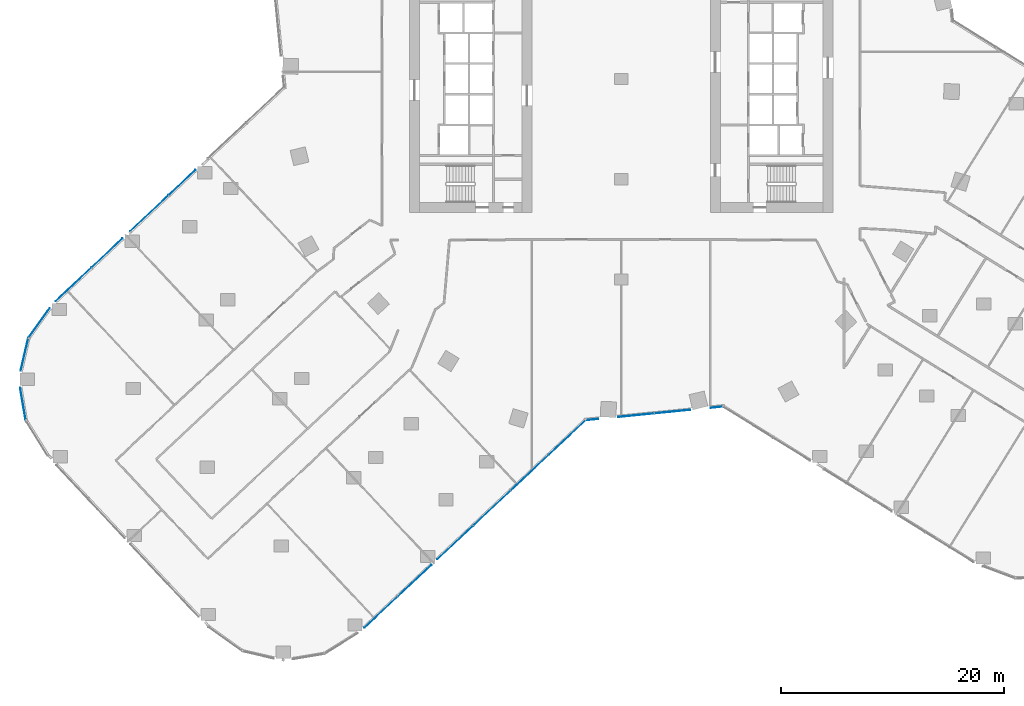
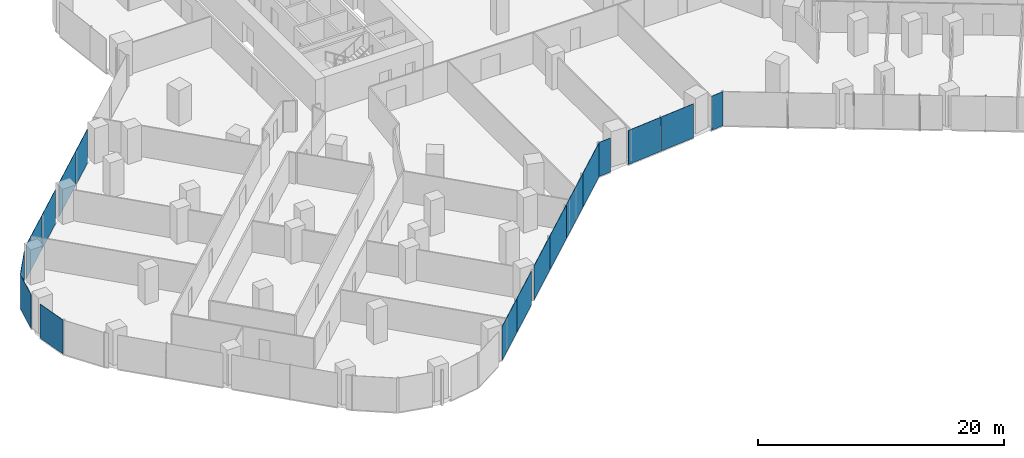
# One storey, part 18 of 34: 17 plates, 6 elements without a shape of their own.
"""IFC4 building model written with IfcOpenShell, lengths in metres."""

from ifc_helpers import new_model, si_unit, direction, frame, origin, origin_2d, place, context, subcontext, project, spatial, rectangle, extrude, material, layer, layer_set, type_object, element, aggregate, save


model = new_model("IFC4")

# Units and contexts
model_context = context("Model", 3, precision=1e-05, world=origin(), true_north=direction((0.0, 1.0)))
body_context = subcontext(model_context, "Body", "Model", "MODEL_VIEW")
ifc_project = project(units=[si_unit("LENGTHUNIT", "METRE"), si_unit("AREAUNIT", "SQUARE_METRE"), si_unit("VOLUMEUNIT", "CUBIC_METRE"), si_unit("PLANEANGLEUNIT", "RADIAN"), si_unit("MASSUNIT", "GRAM", prefix="KILO")], contexts=[model_context])

# Site, building, storey
site_placement = place(None, origin())
site = spatial("IfcSite", under=ifc_project, at=site_placement, CompositionType="ELEMENT")
building_placement = place(site_placement, origin())
building = spatial("IfcBuilding", under=site, at=building_placement, Name="Orlundy Tower", CompositionType="ELEMENT")
storey_placement = place(building_placement, frame((0.0, 0.0, 44.300048828125)))
storey = spatial("IfcBuildingStorey", under=building, at=storey_placement, Name="L09", CompositionType="ELEMENT", Elevation=44.300048828125)

# Curtain wall, plates
ifc_material_1 = material(Name="Aluminium bronze anodised", Category="aluminium")
curtain_wall_type = type_object("IfcCurtainWallType", Name="CW1 wall", PredefinedType="NOTDEFINED", material=ifc_material_1)
curtain_wall_1_placement = place(storey_placement, origin())
curtain_wall_1 = element("IfcCurtainWall", 1, at=curtain_wall_1_placement, inside=storey, type_object=curtain_wall_type, Name="CW1 run 00", PredefinedType="NOTDEFINED")
ifc_material_2 = material(Name="Tinted glass", Category="glass")
ifc_layer = layer(ifc_material_2, 0.031982421875)
ifc_layer_set = layer_set([ifc_layer], Name="CW1 glass panel 32")
plate_type = type_object("IfcPlateType", Name="CW1 glass panel 32", PredefinedType="CURTAIN_PANEL", material=ifc_layer_set)
plate_1_placement = place(storey_placement, frame((-49.14013671875, -18.446044921875, -0.300048828125), z_axis=(0.0, 0.0, 1.0), x_axis=(0.729351371178, 0.684139296752, 0.0)))
plate_1 = element("IfcPlate", 2, at=plate_1_placement, type_object=plate_type, Name="CW1 panel", PredefinedType="CURTAIN_PANEL", context=body_context, shape_type="SweptSolid", body=[
    extrude(rectangle(XDim=4.3818359375, YDim=0.031982421875, at=origin_2d()), origin(), (0.0, 0.0, 1.0), 3.3798828125),
])
plate_2_placement = place(storey_placement, frame((-46.118408203125, -15.611572265625, -0.300048828125), z_axis=(0.0, 0.0, 1.0), x_axis=(0.729351371178, 0.684139296752, 0.0)))
plate_2 = element("IfcPlate", 3, at=plate_2_placement, type_object=plate_type, Name="CW1 panel", PredefinedType="CURTAIN_PANEL", context=body_context, shape_type="SweptSolid", body=[
    extrude(rectangle(XDim=3.80419921875, YDim=0.031982421875, at=origin_2d()), origin(), (0.0, 0.0, 1.0), 3.3798828125),
])
plate_3_placement = place(storey_placement, frame((-42.3212890625, -12.050048828125, -0.300048828125), z_axis=(0.0, 0.0, 1.0), x_axis=(0.729351371178, 0.684139296752, 0.0)))
plate_3 = element("IfcPlate", 4, at=plate_3_placement, type_object=plate_type, Name="CW1 panel", PredefinedType="CURTAIN_PANEL", context=body_context, shape_type="SweptSolid", body=[
    extrude(rectangle(XDim=4.705322265625, YDim=0.031982421875, at=origin_2d()), origin(), (0.0, 0.0, 1.0), 3.3798828125),
])
plate_4_placement = place(storey_placement, frame((-39.3798828125, -9.291015625, -0.300048828125), z_axis=(0.0, 0.0, 1.0), x_axis=(0.729351371178, 0.684139296752, 0.0)))
plate_4 = element("IfcPlate", 5, at=plate_4_placement, type_object=plate_type, Name="CW1 panel", PredefinedType="CURTAIN_PANEL", context=body_context, shape_type="SweptSolid", body=[
    extrude(rectangle(XDim=3.260498046875, YDim=0.031982421875, at=origin_2d()), origin(), (0.0, 0.0, 1.0), 3.3798828125),
])
aggregate(curtain_wall_1, [plate_1, plate_2, plate_3, plate_4])

curtain_wall_2_placement = place(storey_placement, origin())
curtain_wall_2 = element("IfcCurtainWall", 6, at=curtain_wall_2_placement, inside=storey, type_object=curtain_wall_type, Name="CW1 run 017", PredefinedType="NOTDEFINED")
plate_5_placement = place(storey_placement, frame((8.5810546875, -29.460693359375, -0.300048828125), z_axis=(0.0, 0.0, 1.0), x_axis=(-0.995112236774, -0.098750373279, 0.0)))
plate_5 = element("IfcPlate", 7, at=plate_5_placement, type_object=plate_type, Name="CW1 panel", PredefinedType="CURTAIN_PANEL", context=body_context, shape_type="SweptSolid", body=[
    extrude(rectangle(XDim=1.11474609375, YDim=0.031982421875, at=origin_2d()), origin(), (0.0, 0.0, 1.0), 3.3798828125),
])
plate_6_placement = place(storey_placement, frame((4.61083984375, -29.854736328125, -0.300048828125), z_axis=(0.0, 0.0, 1.0), x_axis=(-0.995112236774, -0.098750373279, 0.0)))
plate_6 = element("IfcPlate", 8, at=plate_6_placement, type_object=plate_type, Name="CW1 panel", PredefinedType="CURTAIN_PANEL", context=body_context, shape_type="SweptSolid", body=[
    extrude(rectangle(XDim=3.23046875, YDim=0.031982421875, at=origin_2d()), origin(), (0.0, 0.0, 1.0), 3.3798828125),
])
plate_7_placement = place(storey_placement, frame((1.34619140625, -30.1787109375, -0.300048828125), z_axis=(0.0, 0.0, 1.0), x_axis=(-0.995112236774, -0.098750373279, 0.0)))
plate_7 = element("IfcPlate", 9, at=plate_7_placement, type_object=plate_type, Name="CW1 panel", PredefinedType="CURTAIN_PANEL", context=body_context, shape_type="SweptSolid", body=[
    extrude(rectangle(XDim=3.23095703125, YDim=0.031982421875, at=origin_2d()), origin(), (0.0, 0.0, 1.0), 3.3798828125),
])
plate_8_placement = place(storey_placement, frame((-2.6240234375, -30.57275390625, -0.300048828125), z_axis=(0.0, 0.0, 1.0), x_axis=(-0.995112236774, -0.098750373279, 0.0)))
plate_8 = element("IfcPlate", 10, at=plate_8_placement, type_object=plate_type, Name="CW1 panel", PredefinedType="CURTAIN_PANEL", context=body_context, shape_type="SweptSolid", body=[
    extrude(rectangle(XDim=1.1142578125, YDim=0.031982421875, at=origin_2d()), origin(), (0.0, 0.0, 1.0), 3.3798828125),
])
aggregate(curtain_wall_2, [plate_5, plate_6, plate_7, plate_8])

curtain_wall_3_placement = place(storey_placement, origin())
curtain_wall_3 = element("IfcCurtainWall", 11, at=curtain_wall_3_placement, inside=storey, type_object=curtain_wall_type, Name="CW1 run 018", PredefinedType="NOTDEFINED")
plate_9_placement = place(storey_placement, frame((-4.837646484375, -32.18408203125, -0.300048828125), z_axis=(0.0, 0.0, 1.0), x_axis=(-0.729365455086, -0.684124281784, 0.0)))
plate_9 = element("IfcPlate", 12, at=plate_9_placement, type_object=plate_type, Name="CW1 panel", PredefinedType="CURTAIN_PANEL", context=body_context, shape_type="SweptSolid", body=[
    extrude(rectangle(XDim=4.550048828125, YDim=0.031982421875, at=origin_2d()), origin(), (0.0, 0.0, 1.0), 3.3798828125),
])
plate_10_placement = place(storey_placement, frame((-8.2041015625, -35.341552734375, -0.300048828125), z_axis=(0.0, 0.0, 1.0), x_axis=(-0.729365455086, -0.684124281784, 0.0)))
plate_10 = element("IfcPlate", 13, at=plate_10_placement, type_object=plate_type, Name="CW1 panel", PredefinedType="CURTAIN_PANEL", context=body_context, shape_type="SweptSolid", body=[
    extrude(rectangle(XDim=4.580810546875, YDim=0.031982421875, at=origin_2d()), origin(), (0.0, 0.0, 1.0), 3.3798828125),
])
plate_11_placement = place(storey_placement, frame((-11.58154296875, -38.509521484375, -0.300048828125), z_axis=(0.0, 0.0, 1.0), x_axis=(-0.729365455086, -0.684124281784, 0.0)))
plate_11 = element("IfcPlate", 14, at=plate_11_placement, type_object=plate_type, Name="CW1 panel", PredefinedType="CURTAIN_PANEL", context=body_context, shape_type="SweptSolid", body=[
    extrude(rectangle(XDim=4.580810546875, YDim=0.031982421875, at=origin_2d()), origin(), (0.0, 0.0, 1.0), 3.3798828125),
])
plate_12_placement = place(storey_placement, frame((-14.8876953125, -41.61083984375, -0.300048828125), z_axis=(0.0, 0.0, 1.0), x_axis=(-0.729365455086, -0.684124281784, 0.0)))
plate_12 = element("IfcPlate", 15, at=plate_12_placement, type_object=plate_type, Name="CW1 panel", PredefinedType="CURTAIN_PANEL", context=body_context, shape_type="SweptSolid", body=[
    extrude(rectangle(XDim=4.38525390625, YDim=0.031982421875, at=origin_2d()), origin(), (0.0, 0.0, 1.0), 3.3798828125),
])
plate_13_placement = place(storey_placement, frame((-18.51318359375, -45.01123046875, -0.300048828125), z_axis=(0.0, 0.0, 1.0), x_axis=(-0.729365455086, -0.684124281784, 0.0)))
plate_13 = element("IfcPlate", 16, at=plate_13_placement, type_object=plate_type, Name="CW1 panel", PredefinedType="CURTAIN_PANEL", context=body_context, shape_type="SweptSolid", body=[
    extrude(rectangle(XDim=4.096435546875, YDim=0.031982421875, at=origin_2d()), origin(), (0.0, 0.0, 1.0), 3.3798828125),
])
plate_14_placement = place(storey_placement, frame((-21.53515625, -47.845947265625, -0.300048828125), z_axis=(0.0, 0.0, 1.0), x_axis=(-0.729365455086, -0.684124281784, 0.0)))
plate_14 = element("IfcPlate", 17, at=plate_14_placement, type_object=plate_type, Name="CW1 panel", PredefinedType="CURTAIN_PANEL", context=body_context, shape_type="SweptSolid", body=[
    extrude(rectangle(XDim=4.090576171875, YDim=0.031982421875, at=origin_2d()), origin(), (0.0, 0.0, 1.0), 3.3798828125),
])
aggregate(curtain_wall_3, [plate_9, plate_10, plate_11, plate_12, plate_13, plate_14])

# Curtain wall, plate
curtain_wall_4_placement = place(storey_placement, origin())
curtain_wall_4 = element("IfcCurtainWall", 18, at=curtain_wall_4_placement, inside=storey, type_object=curtain_wall_type, Name="CW1 run 025", PredefinedType="NOTDEFINED")
plate_15_placement = place(storey_placement, frame((-53.670654296875, -29.17041015625, -0.300048828125), z_axis=(0.0, 0.0, 1.0), x_axis=(-0.163480241914, 0.986546608379, 0.0)))
plate_15 = element("IfcPlate", 19, at=plate_15_placement, type_object=plate_type, Name="CW1 panel", PredefinedType="CURTAIN_PANEL", context=body_context, shape_type="SweptSolid", body=[
    extrude(rectangle(XDim=2.9873046875, YDim=0.031982421875, at=origin_2d()), origin(), (0.0, 0.0, 1.0), 3.3798828125),
])
aggregate(curtain_wall_4, [plate_15])

curtain_wall_5_placement = place(storey_placement, origin())
curtain_wall_5 = element("IfcCurtainWall", 20, at=curtain_wall_5_placement, inside=storey, type_object=curtain_wall_type, Name="CW1 run 026", PredefinedType="NOTDEFINED")
plate_16_placement = place(storey_placement, frame((-53.531982421875, -24.72265625, -0.300048828125), z_axis=(0.0, 0.0, 1.0), x_axis=(0.226317097073, 0.974053680026, 0.0)))
plate_16 = element("IfcPlate", 21, at=plate_16_placement, type_object=plate_type, Name="CW1 panel", PredefinedType="CURTAIN_PANEL", context=body_context, shape_type="SweptSolid", body=[
    extrude(rectangle(XDim=3.02734375, YDim=0.031982421875, at=origin_2d()), origin(), (0.0, 0.0, 1.0), 3.3798828125),
])
aggregate(curtain_wall_5, [plate_16])

curtain_wall_6_placement = place(storey_placement, origin())
curtain_wall_6 = element("IfcCurtainWall", 22, at=curtain_wall_6_placement, inside=storey, type_object=curtain_wall_type, Name="CW1 run 027", PredefinedType="NOTDEFINED")
plate_17_placement = place(storey_placement, frame((-52.230224609375, -21.90771484375, -0.300048828125), z_axis=(0.0, 0.0, 1.0), x_axis=(0.58197810512, 0.813204454711, 0.0)))
plate_17 = element("IfcPlate", 23, at=plate_17_placement, type_object=plate_type, Name="CW1 panel", PredefinedType="CURTAIN_PANEL", context=body_context, shape_type="SweptSolid", body=[
    extrude(rectangle(XDim=3.29638671875, YDim=0.031982421875, at=origin_2d()), origin(), (0.0, 0.0, 1.0), 3.3798828125),
])
aggregate(curtain_wall_6, [plate_17])

save(model, "model.ifc")
